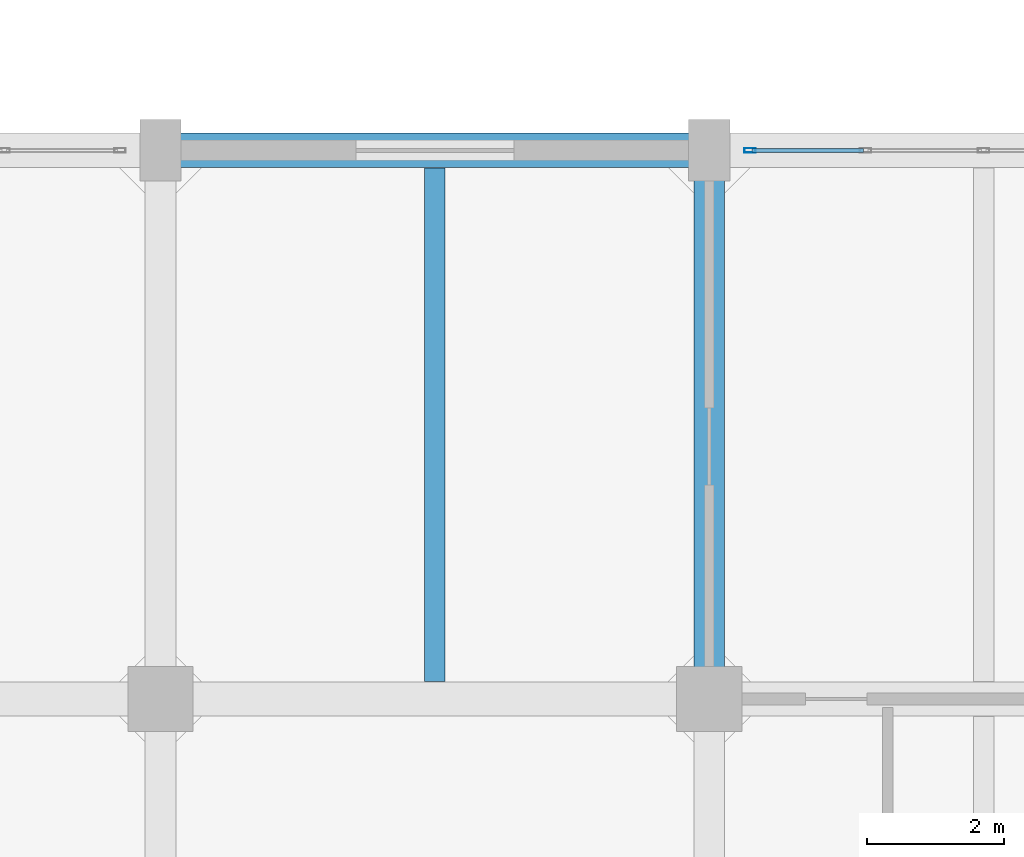
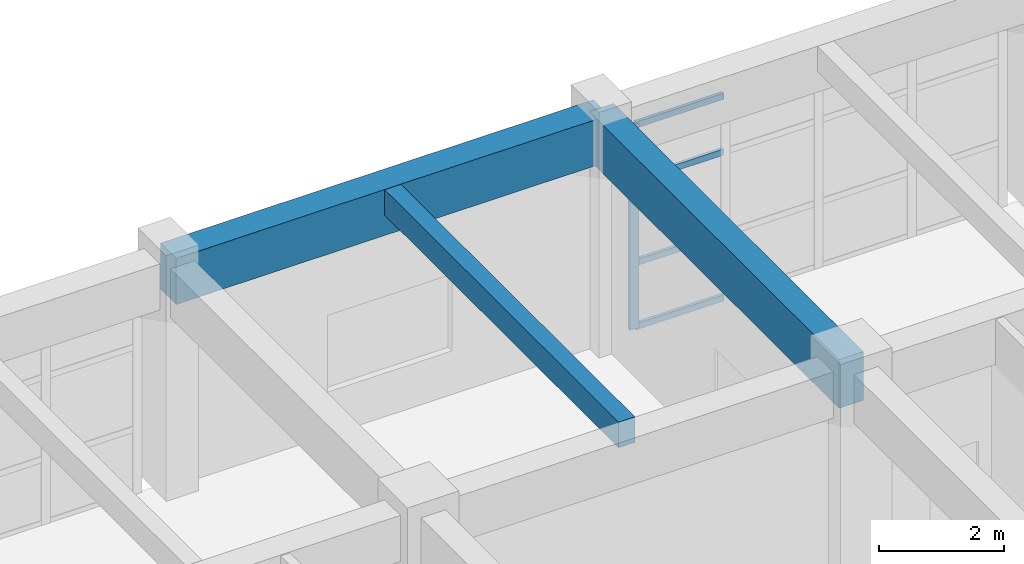
# One storey, part 195 of 248: 5 members, 3 beams, 1 element without a shape of its own.
"""IFC4 building model written with IfcOpenShell, lengths in metres."""

from ifc_helpers import new_model, si_unit, direction, frame, origin, origin_2d, place, context, subcontext, project, spatial, rectangle, hollow_rectangle, extrude, material, layer, layer_set, material_profile, profile_set, type_object, element, aggregate, save


model = new_model("IFC4")

# Units and contexts
model_context = context("Model", 3, precision=1e-05, world=origin(), true_north=direction((0.0, 1.0)))
body_context = subcontext(model_context, "Body", "Model", "MODEL_VIEW")
ifc_project = project(units=[si_unit("LENGTHUNIT", "METRE"), si_unit("AREAUNIT", "SQUARE_METRE"), si_unit("VOLUMEUNIT", "CUBIC_METRE"), si_unit("PLANEANGLEUNIT", "RADIAN"), si_unit("MASSUNIT", "GRAM", prefix="KILO")], contexts=[model_context])

# Site, building, storey
site_placement = place(None, origin())
site = spatial("IfcSite", under=ifc_project, at=site_placement, CompositionType="ELEMENT")
building_placement = place(site_placement, origin())
building = spatial("IfcBuilding", under=site, at=building_placement, Name="Canggui Botanical Conservatory", CompositionType="ELEMENT")
storey_placement = place(building_placement, frame((0.0, 0.0, 5.39990234375)))
storey = spatial("IfcBuildingStorey", under=building, at=storey_placement, Name="L02", CompositionType="ELEMENT", Elevation=5.39990234375)

# Beams
ifc_material_1 = material(Name="Concrete C35", Category="concrete")
ifc_material_profile_1 = material_profile(ifc_material_1, rectangle(XDim=0.300048828125, YDim=0.5, at=origin_2d()), Name="RB 300x500")
ifc_profile_set_1 = profile_set([ifc_material_profile_1], Name="Concrete C35")
beam_type_1 = type_object("IfcBeamType", Name="BM-JST02", PredefinedType="JOIST", material=ifc_profile_set_1)
beam_1_placement = place(storey_placement, frame((158.0, 74.2548828125, 4.27001953125), z_axis=(0.0, 1.0, 0.0), x_axis=(-1.0, 0.0, 0.0)))
element("IfcBeam", 1, at=beam_1_placement, inside=storey, type_object=beam_type_1, Name="Secondary Floor Joist L02-4-7", PredefinedType="JOIST", context=body_context, shape_type="SweptSolid", body=[
    extrude(rectangle(XDim=0.300048828125, YDim=0.5, at=origin_2d()), origin(), (0.0, 0.0, 1.0), 7.490234375),
])
ifc_material_profile_2 = material_profile(ifc_material_1, rectangle(XDim=0.5, YDim=0.89990234375, at=origin_2d()), Name="RB 500x900")
ifc_profile_set_2 = profile_set([ifc_material_profile_2], Name="Concrete C35")
beam_type_2 = type_object("IfcBeamType", Name="BM-KL03", PredefinedType="BEAM", material=ifc_profile_set_2)
beam_2_placement = place(storey_placement, frame((154.0, 82.0, 4.070068359375), z_axis=(1.0, 0.0, 0.0), x_axis=(0.0, 1.0, 0.0)))
element("IfcBeam", 2, at=beam_2_placement, inside=storey, type_object=beam_type_2, Name="Frame Girder L02 Y82-4", PredefinedType="BEAM", context=body_context, shape_type="SweptSolid", body=[
    extrude(rectangle(XDim=0.5, YDim=0.89990234375, at=origin_2d()), origin(), (0.0, 0.0, 1.0), 8.0),
])
ifc_material_profile_3 = material_profile(ifc_material_1, rectangle(XDim=0.449951171875, YDim=0.949951171875, at=origin_2d()), Name="RB 450x950")
ifc_profile_set_3 = profile_set([ifc_material_profile_3], Name="Concrete C35")
beam_type_3 = type_object("IfcBeamType", Name="BM-KL04", PredefinedType="BEAM", material=ifc_profile_set_3)
beam_3_placement = place(storey_placement, frame((162.0, 74.0, 4.045166015625), z_axis=(0.0, 1.0, 0.0), x_axis=(-1.0, 0.0, 0.0)))
element("IfcBeam", 3, at=beam_3_placement, inside=storey, type_object=beam_type_3, Name="Frame Girder L02 X162-7", PredefinedType="BEAM", context=body_context, shape_type="SweptSolid", body=[
    extrude(rectangle(XDim=0.449951171875, YDim=0.949951171875, at=origin_2d()), origin(), (0.0, 0.0, 1.0), 8.0),
])

# Curtain wall, members
ifc_material_2 = material(Name="Thermally Broken Aluminium", Category="aluminium")
ifc_layer = layer(ifc_material_2, 0.1650390625, Name="Thermally Broken Aluminium", Category="aluminium")
ifc_layer_set = layer_set([ifc_layer], Name="Thermally Broken Aluminium")
curtain_wall_type = type_object("IfcCurtainWallType", Name="CW-UNIT-B", PredefinedType="USERDEFINED", material=ifc_layer_set)
curtain_wall_placement = place(storey_placement, origin())
curtain_wall = element("IfcCurtainWall", 4, at=curtain_wall_placement, inside=storey, type_object=curtain_wall_type, Name="Facade Curtain Wall CW-TWR-L02-18", ObjectType="UNITISED CURTAIN WALL", PredefinedType="USERDEFINED")
ifc_material_profile_4 = material_profile(ifc_material_2, hollow_rectangle(XDim=0.06494140625, YDim=0.1650390625, WallThickness=0.00390625, at=origin_2d()), Name="CWM 65x165x4")
ifc_profile_set_4 = profile_set([ifc_material_profile_4], Name="Thermally Broken Aluminium")
member_type_1 = type_object("IfcMemberType", Name="CWM-02", PredefinedType="MULLION", material=ifc_profile_set_4)
member_1_placement = place(storey_placement, frame((162.592529296875, 82.0, 0.0), z_axis=(0.0, 0.0, 1.0), x_axis=(0.0, 1.0, 0.0)))
member_1 = element("IfcMember", 5, at=member_1_placement, type_object=member_type_1, Name="CW-02 mullion 1", PredefinedType="MULLION", context=body_context, shape_type="SweptSolid", body=[
    extrude(hollow_rectangle(XDim=0.06494140625, YDim=0.1650390625, WallThickness=0.00390625, at=origin_2d()), origin(), (0.0, 0.0, 1.0), 4.0),
])
ifc_material_profile_5 = material_profile(ifc_material_2, hollow_rectangle(XDim=0.06005859375, YDim=0.1201171875, WallThickness=0.00341796875, at=origin_2d()), Name="CWT 60x120x3.5")
ifc_profile_set_5 = profile_set([ifc_material_profile_5], Name="Thermally Broken Aluminium")
member_type_2 = type_object("IfcMemberType", Name="CWT-02", PredefinedType="USERDEFINED", material=ifc_profile_set_5)
member_2_placement = place(storey_placement, frame((162.625, 82.0, 0.030029296875), z_axis=(1.0, 0.0, 0.0), x_axis=(0.0, 1.0, 0.0)))
member_2 = element("IfcMember", 6, at=member_2_placement, type_object=member_type_2, Name="CW-02 transom 1.1", ObjectType="TRANSOM", PredefinedType="USERDEFINED", context=body_context, shape_type="SweptSolid", body=[
    extrude(hollow_rectangle(XDim=0.06005859375, YDim=0.1201171875, WallThickness=0.00341796875, at=origin_2d()), origin(), (0.0, 0.0, 1.0), 1.62255859375),
])
member_3_placement = place(storey_placement, frame((162.625, 82.0, 1.280029296875), z_axis=(1.0, 0.0, 0.0), x_axis=(0.0, 1.0, 0.0)))
member_3 = element("IfcMember", 7, at=member_3_placement, type_object=member_type_2, Name="CW-02 transom 1.2", ObjectType="TRANSOM", PredefinedType="USERDEFINED", context=body_context, shape_type="SweptSolid", body=[
    extrude(hollow_rectangle(XDim=0.06005859375, YDim=0.1201171875, WallThickness=0.00341796875, at=origin_2d()), origin(), (0.0, 0.0, 1.0), 1.62255859375),
])
member_4_placement = place(storey_placement, frame((162.625, 82.0, 2.880126953125), z_axis=(1.0, 0.0, 0.0), x_axis=(0.0, 1.0, 0.0)))
member_4 = element("IfcMember", 8, at=member_4_placement, type_object=member_type_2, Name="CW-02 transom 1.3", ObjectType="TRANSOM", PredefinedType="USERDEFINED", context=body_context, shape_type="SweptSolid", body=[
    extrude(hollow_rectangle(XDim=0.06005859375, YDim=0.1201171875, WallThickness=0.00341796875, at=origin_2d()), origin(), (0.0, 0.0, 1.0), 1.62255859375),
])
member_5_placement = place(storey_placement, frame((162.625, 82.0, 3.97021484375), z_axis=(1.0, 0.0, 0.0), x_axis=(0.0, 1.0, 0.0)))
member_5 = element("IfcMember", 9, at=member_5_placement, type_object=member_type_2, Name="CW-02 transom 1.4", ObjectType="TRANSOM", PredefinedType="USERDEFINED", context=body_context, shape_type="SweptSolid", body=[
    extrude(hollow_rectangle(XDim=0.06005859375, YDim=0.1201171875, WallThickness=0.00341796875, at=origin_2d()), origin(), (0.0, 0.0, 1.0), 1.62255859375),
])
aggregate(curtain_wall, [member_1, member_2, member_3, member_4, member_5])

save(model, "model.ifc")
